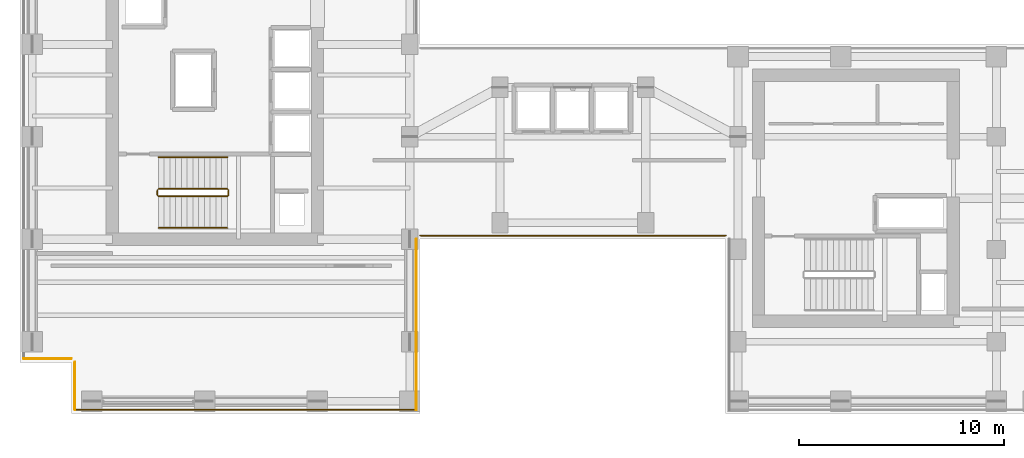
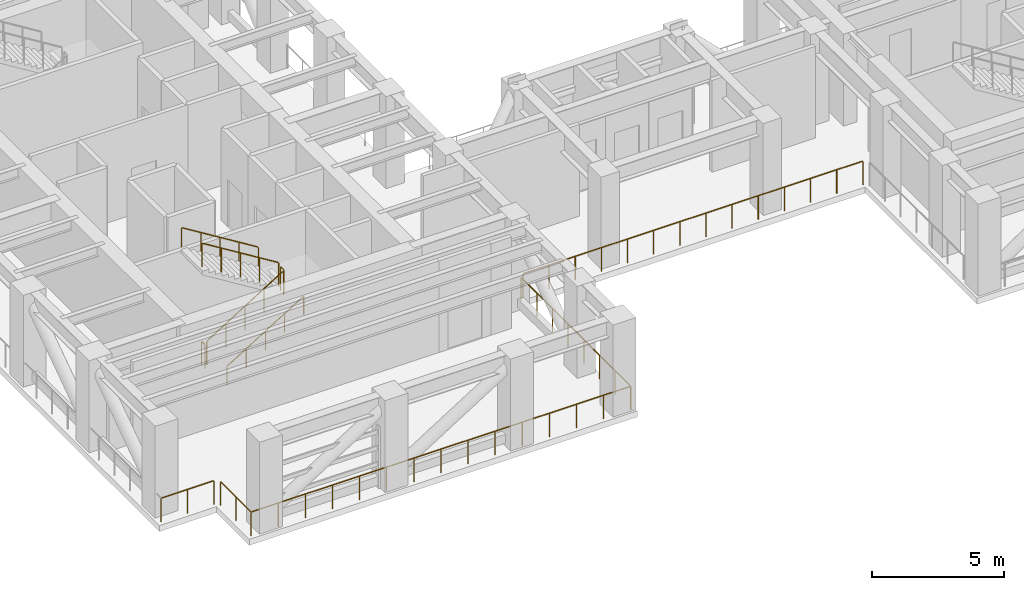
# One storey, part 11 of 14: 11 railings.
"""IFC4 building model written with IfcOpenShell, lengths in metres."""

from ifc_helpers import new_model, si_unit, direction, frame, origin, origin_2d, place, context, subcontext, project, spatial, circle, extrude, source, transform, mapped, material, layer, layer_set, type_object, element, save


model = new_model("IFC4")

# Units and contexts
model_context = context("Model", 3, precision=1e-05, world=origin(), true_north=direction((0.0, 1.0)))
body_context = subcontext(model_context, "Body", "Model", "MODEL_VIEW")
ifc_project = project(units=[si_unit("LENGTHUNIT", "METRE"), si_unit("AREAUNIT", "SQUARE_METRE"), si_unit("VOLUMEUNIT", "CUBIC_METRE"), si_unit("PLANEANGLEUNIT", "RADIAN"), si_unit("MASSUNIT", "GRAM", prefix="KILO")], contexts=[model_context])

# Site, building, storey
site_placement = place(None, origin())
site = spatial("IfcSite", under=ifc_project, at=site_placement, CompositionType="ELEMENT")
building_placement = place(site_placement, origin())
building = spatial("IfcBuilding", under=site, at=building_placement, Name="Kharzan Plaza Tower", CompositionType="ELEMENT")
storey_placement = place(building_placement, frame((0.0, 0.0, 207.89990234375)))
storey = spatial("IfcBuildingStorey", under=building, at=storey_placement, Name="L56", CompositionType="ELEMENT", Elevation=207.89990234375)

# Railings
ifc_material_1 = material(Name="Painted Galvanized Architectural Steel", Category="steel")
ifc_layer_1 = layer(ifc_material_1, 0.074951171875)
ifc_layer_set_1 = layer_set([ifc_layer_1], Name="Painted Galvanized Architectural Steel")
railing_type_1 = type_object("IfcRailingType", Name="RL-GUARD-1120", PredefinedType="BALUSTRADE", material=ifc_layer_set_1)
shared_shape_1 = source(origin(), body_context, "Body", "SweptSolid", [
    extrude(circle(Radius=0.02392578125, at=origin_2d()), frame((0.0224609375, 0.0, 1.10986328125), z_axis=(0.850623216509, 0.0, 0.525775754039), x_axis=(0.0, 1.0, 0.0)), (0.0, 0.0, 1.0), 3.897216796875),
    extrude(circle(Radius=0.02099609375, at=origin_2d()), origin(), (0.0, 0.0, 1.0), 1.072021484375),
    extrude(circle(Radius=0.02099609375, at=origin_2d()), frame((0.840087890625, 0.0, 0.519287109375)), (0.0, 0.0, 1.0), 1.072021484375),
    extrude(circle(Radius=0.02099609375, at=origin_2d()), frame((1.68017578125, 0.0, 1.03857421875)), (0.0, 0.0, 1.0), 1.072021484375),
    extrude(circle(Radius=0.02099609375, at=origin_2d()), frame((2.52001953125, 0.0, 1.5576171875)), (0.0, 0.0, 1.0), 1.072021484375),
    extrude(circle(Radius=0.02099609375, at=origin_2d()), frame((3.360107421875, 0.0, 2.076904296875)), (0.0, 0.0, 1.0), 1.072021484375),
])
railing_1_placement = place(storey_placement, frame((6.75, 10.60009765625, 0.173095703125)))
element("IfcRailing", 1, at=railing_1_placement, inside=storey, type_object=railing_type_1, Name="L56 ST-1 stair guard 1", PredefinedType="BALUSTRADE", context=body_context, shape_type="MappedRepresentation", body=[
    mapped(shared_shape_1, transform((0.0, 0.0, 0.0), x_axis=(1.0, 0.0, 0.0), y_axis=(0.0, 1.0, 0.0), z_axis=(0.0, 0.0, 1.0))),
])
shared_shape_2 = source(origin(), body_context, "Body", "SweptSolid", [
    extrude(circle(Radius=0.02392578125, at=origin_2d()), frame((0.0, 0.0263671875, 1.09619140625), z_axis=(0.0, 1.0, 0.0), x_axis=(-1.0, 0.0, 0.0)), (0.0, 0.0, 1.0), 0.197021484375),
    extrude(circle(Radius=0.02099609375, at=origin_2d()), origin(), (0.0, 0.0, 1.0), 1.072021484375),
    extrude(circle(Radius=0.02099609375, at=origin_2d()), frame((0.0, 0.25, 0.0)), (0.0, 0.0, 1.0), 1.072021484375),
])
for number, where, name in (
    (2, (10.159912109375, 10.64990234375, 2.25), "L56 ST-1 stair guard 2"),
    (3, (6.699951171875, 10.64990234375, 0.0), "L56 ST-1 stair guard 4"),
):
    element("IfcRailing", number, at=place(storey_placement, frame(where)), inside=storey, type_object=railing_type_1, Name=name, PredefinedType="BALUSTRADE", context=body_context, shape_type="MappedRepresentation", body=[
        mapped(shared_shape_2, transform((0.0, 0.0, 0.0), x_axis=(1.0, 0.0, 0.0), y_axis=(0.0, 1.0, 0.0), z_axis=(0.0, 0.0, 1.0))),
    ])
shared_shape_3 = source(origin(), body_context, "Body", "SweptSolid", [
    extrude(circle(Radius=0.02392578125, at=origin_2d()), frame((-0.0224609375, 0.0, 1.10986328125), z_axis=(-0.850623216509, 0.0, 0.525775754039), x_axis=(0.0, -1.0, 0.0)), (0.0, 0.0, 1.0), 3.897216796875),
    extrude(circle(Radius=0.02099609375, at=origin_2d()), origin(), (0.0, 0.0, 1.0), 1.072021484375),
    extrude(circle(Radius=0.02099609375, at=origin_2d()), frame((-0.840087890625, 0.0, 0.519287109375)), (0.0, 0.0, 1.0), 1.072021484375),
    extrude(circle(Radius=0.02099609375, at=origin_2d()), frame((-1.68017578125, 0.0, 1.03857421875)), (0.0, 0.0, 1.0), 1.072021484375),
    extrude(circle(Radius=0.02099609375, at=origin_2d()), frame((-2.52001953125, 0.0, 1.5576171875)), (0.0, 0.0, 1.0), 1.072021484375),
    extrude(circle(Radius=0.02099609375, at=origin_2d()), frame((-3.360107421875, 0.0, 2.076904296875)), (0.0, 0.0, 1.0), 1.072021484375),
])
railing_2_placement = place(storey_placement, frame((10.110107421875, 10.949951171875, 2.423095703125)))
element("IfcRailing", 4, at=railing_2_placement, inside=storey, type_object=railing_type_1, Name="L56 ST-1 stair guard 3", PredefinedType="BALUSTRADE", context=body_context, shape_type="MappedRepresentation", body=[
    mapped(shared_shape_3, transform((0.0, 0.0, 0.0), x_axis=(1.0, 0.0, 0.0), y_axis=(0.0, 1.0, 0.0), z_axis=(0.0, 0.0, 1.0))),
])
ifc_material_2 = material(Name="Brushed Stainless Steel", Category="steel")
ifc_layer_2 = layer(ifc_material_2, 0.050048828125)
ifc_layer_set_2 = layer_set([ifc_layer_2], Name="Brushed Stainless Steel")
railing_type_2 = type_object("IfcRailingType", Name="RL-STAIR-HR920", PredefinedType="HANDRAIL", material=ifc_layer_set_2)
shared_shape_4 = source(origin(), body_context, "Body", "SweptSolid", [
    extrude(circle(Radius=0.02392578125, at=origin_2d()), frame((0.0224609375, 0.0, 0.8896484375), z_axis=(0.850623216509, 0.0, 0.525775754039), x_axis=(0.0, 1.0, 0.0)), (0.0, 0.0, 1.0), 3.897216796875),
    extrude(circle(Radius=0.02099609375, at=origin_2d()), origin(), (0.0, 0.0, 1.0), 0.851806640625),
    extrude(circle(Radius=0.02099609375, at=origin_2d()), frame((0.840087890625, 0.0, 0.519287109375)), (0.0, 0.0, 1.0), 0.851806640625),
    extrude(circle(Radius=0.02099609375, at=origin_2d()), frame((1.68017578125, 0.0, 1.03857421875)), (0.0, 0.0, 1.0), 0.851806640625),
    extrude(circle(Radius=0.02099609375, at=origin_2d()), frame((2.52001953125, 0.0, 1.5576171875)), (0.0, 0.0, 1.0), 0.851806640625),
    extrude(circle(Radius=0.02099609375, at=origin_2d()), frame((3.360107421875, 0.0, 2.076904296875)), (0.0, 0.0, 1.0), 0.851806640625),
])
railing_3_placement = place(storey_placement, frame((6.75, 9.050048828125, 0.173095703125)))
element("IfcRailing", 5, at=railing_3_placement, inside=storey, type_object=railing_type_2, Name="L56 ST-1 stair handrail 1", PredefinedType="HANDRAIL", context=body_context, shape_type="MappedRepresentation", body=[
    mapped(shared_shape_4, transform((0.0, 0.0, 0.0), x_axis=(1.0, 0.0, 0.0), y_axis=(0.0, 1.0, 0.0), z_axis=(0.0, 0.0, 1.0))),
])
shared_shape_5 = source(origin(), body_context, "Body", "SweptSolid", [
    extrude(circle(Radius=0.02392578125, at=origin_2d()), frame((-0.0224609375, 0.0, 0.8896484375), z_axis=(-0.850623216509, 0.0, 0.525775754039), x_axis=(0.0, -1.0, 0.0)), (0.0, 0.0, 1.0), 3.897216796875),
    extrude(circle(Radius=0.02099609375, at=origin_2d()), origin(), (0.0, 0.0, 1.0), 0.851806640625),
    extrude(circle(Radius=0.02099609375, at=origin_2d()), frame((-0.840087890625, 0.0, 0.519287109375)), (0.0, 0.0, 1.0), 0.851806640625),
    extrude(circle(Radius=0.02099609375, at=origin_2d()), frame((-1.68017578125, 0.0, 1.03857421875)), (0.0, 0.0, 1.0), 0.851806640625),
    extrude(circle(Radius=0.02099609375, at=origin_2d()), frame((-2.52001953125, 0.0, 1.5576171875)), (0.0, 0.0, 1.0), 0.851806640625),
    extrude(circle(Radius=0.02099609375, at=origin_2d()), frame((-3.360107421875, 0.0, 2.076904296875)), (0.0, 0.0, 1.0), 0.851806640625),
])
railing_4_placement = place(storey_placement, frame((10.110107421875, 12.5, 2.423095703125)))
element("IfcRailing", 6, at=railing_4_placement, inside=storey, type_object=railing_type_2, Name="L56 ST-1 stair handrail 2", PredefinedType="HANDRAIL", context=body_context, shape_type="MappedRepresentation", body=[
    mapped(shared_shape_5, transform((0.0, 0.0, 0.0), x_axis=(1.0, 0.0, 0.0), y_axis=(0.0, 1.0, 0.0), z_axis=(0.0, 0.0, 1.0))),
])
shared_shape_6 = source(origin(), body_context, "Body", "SweptSolid", [
    extrude(circle(Radius=0.02392578125, at=origin_2d()), frame((0.0, 0.0263671875, 1.09619140625), z_axis=(0.0, 1.0, 0.0), x_axis=(-1.0, 0.0, 0.0)), (0.0, 0.0, 1.0), 2.26708984375),
    extrude(circle(Radius=0.02099609375, at=origin_2d()), origin(), (0.0, 0.0, 1.0), 1.072021484375),
    extrude(circle(Radius=0.02099609375, at=origin_2d()), frame((0.0, 1.16015625, 0.0)), (0.0, 0.0, 1.0), 1.072021484375),
    extrude(circle(Radius=0.02099609375, at=origin_2d()), frame((0.0, 2.320068359375, 0.0)), (0.0, 0.0, 1.0), 1.072021484375),
])
railing_5_placement = place(storey_placement, frame((2.679931640625, 0.179931640625, 0.0)))
element("IfcRailing", 7, at=railing_5_placement, inside=storey, type_object=railing_type_1, Name="L56 Open Refuge Floor Perimeter Guard 76", PredefinedType="BALUSTRADE", context=body_context, shape_type="MappedRepresentation", body=[
    mapped(shared_shape_6, transform((0.0, 0.0, 0.0), x_axis=(1.0, 0.0, 0.0), y_axis=(0.0, 1.0, 0.0), z_axis=(0.0, 0.0, 1.0))),
])
shared_shape_7 = source(origin(), body_context, "Body", "SweptSolid", [
    extrude(circle(Radius=0.02392578125, at=origin_2d()), frame((-0.0263671875, 0.0, 1.09619140625), z_axis=(-1.0, 0.0, 0.0), x_axis=(0.0, -1.0, 0.0)), (0.0, 0.0, 1.0), 2.26708984375),
    extrude(circle(Radius=0.02099609375, at=origin_2d()), origin(), (0.0, 0.0, 1.0), 1.072021484375),
    extrude(circle(Radius=0.02099609375, at=origin_2d()), frame((-1.16015625, 0.0, 0.0)), (0.0, 0.0, 1.0), 1.072021484375),
    extrude(circle(Radius=0.02099609375, at=origin_2d()), frame((-2.320068359375, 0.0, 0.0)), (0.0, 0.0, 1.0), 1.072021484375),
])
railing_6_placement = place(storey_placement, frame((2.5, 2.679931640625, 0.0)))
element("IfcRailing", 8, at=railing_6_placement, inside=storey, type_object=railing_type_1, Name="L56 Open Refuge Floor Perimeter Guard 93", PredefinedType="BALUSTRADE", context=body_context, shape_type="MappedRepresentation", body=[
    mapped(shared_shape_7, transform((0.0, 0.0, 0.0), x_axis=(1.0, 0.0, 0.0), y_axis=(0.0, 1.0, 0.0), z_axis=(0.0, 0.0, 1.0))),
])
shared_shape_8 = source(origin(), body_context, "Body", "SweptSolid", [
    extrude(circle(Radius=0.02392578125, at=origin_2d()), frame((-0.0263671875, 0.0, 1.09619140625), z_axis=(-1.0, 0.0, 0.0), x_axis=(0.0, -1.0, 0.0)), (0.0, 0.0, 1.0), 14.846923828125),
    extrude(circle(Radius=0.02099609375, at=origin_2d()), origin(), (0.0, 0.0, 1.0), 1.072021484375),
    extrude(circle(Radius=0.02099609375, at=origin_2d()), frame((-1.146240234375, 0.0, 0.0)), (0.0, 0.0, 1.0), 1.072021484375),
    extrude(circle(Radius=0.02099609375, at=origin_2d()), frame((-2.292236328125, 0.0, 0.0)), (0.0, 0.0, 1.0), 1.072021484375),
    extrude(circle(Radius=0.02099609375, at=origin_2d()), frame((-3.4384765625, 0.0, 0.0)), (0.0, 0.0, 1.0), 1.072021484375),
    extrude(circle(Radius=0.02099609375, at=origin_2d()), frame((-4.58447265625, 0.0, 0.0)), (0.0, 0.0, 1.0), 1.072021484375),
    extrude(circle(Radius=0.02099609375, at=origin_2d()), frame((-5.730712890625, 0.0, 0.0)), (0.0, 0.0, 1.0), 1.072021484375),
    extrude(circle(Radius=0.02099609375, at=origin_2d()), frame((-6.876953125, 0.0, 0.0)), (0.0, 0.0, 1.0), 1.072021484375),
    extrude(circle(Radius=0.02099609375, at=origin_2d()), frame((-8.02294921875, 0.0, 0.0)), (0.0, 0.0, 1.0), 1.072021484375),
    extrude(circle(Radius=0.02099609375, at=origin_2d()), frame((-9.169189453125, 0.0, 0.0)), (0.0, 0.0, 1.0), 1.072021484375),
    extrude(circle(Radius=0.02099609375, at=origin_2d()), frame((-10.3154296875, 0.0, 0.0)), (0.0, 0.0, 1.0), 1.072021484375),
    extrude(circle(Radius=0.02099609375, at=origin_2d()), frame((-11.46142578125, 0.0, 0.0)), (0.0, 0.0, 1.0), 1.072021484375),
    extrude(circle(Radius=0.02099609375, at=origin_2d()), frame((-12.607666015625, 0.0, 0.0)), (0.0, 0.0, 1.0), 1.072021484375),
    extrude(circle(Radius=0.02099609375, at=origin_2d()), frame((-13.753662109375, 0.0, 0.0)), (0.0, 0.0, 1.0), 1.072021484375),
    extrude(circle(Radius=0.02099609375, at=origin_2d()), frame((-14.89990234375, 0.0, 0.0)), (0.0, 0.0, 1.0), 1.072021484375),
])
railing_7_placement = place(storey_placement, frame((34.39990234375, 8.679931640625, 0.0)))
element("IfcRailing", 9, at=railing_7_placement, inside=storey, type_object=railing_type_1, Name="L56 Open Refuge Floor Perimeter Guard 57", PredefinedType="BALUSTRADE", context=body_context, shape_type="MappedRepresentation", body=[
    mapped(shared_shape_8, transform((0.0, 0.0, 0.0), x_axis=(1.0, 0.0, 0.0), y_axis=(0.0, 1.0, 0.0), z_axis=(0.0, 0.0, 1.0))),
])
shared_shape_9 = source(origin(), body_context, "Body", "SweptSolid", [
    extrude(circle(Radius=0.02392578125, at=origin_2d()), frame((0.0, -0.0263671875, 1.09619140625), z_axis=(0.0, -1.0, 0.0), x_axis=(1.0, 0.0, 0.0)), (0.0, 0.0, 1.0), 8.26708984375),
    extrude(circle(Radius=0.02099609375, at=origin_2d()), origin(), (0.0, 0.0, 1.0), 1.072021484375),
    extrude(circle(Radius=0.02099609375, at=origin_2d()), frame((0.0, -1.1884765625, 0.0)), (0.0, 0.0, 1.0), 1.072021484375),
    extrude(circle(Radius=0.02099609375, at=origin_2d()), frame((0.0, -2.377197265625, 0.0)), (0.0, 0.0, 1.0), 1.072021484375),
    extrude(circle(Radius=0.02099609375, at=origin_2d()), frame((0.0, -3.565673828125, 0.0)), (0.0, 0.0, 1.0), 1.072021484375),
    extrude(circle(Radius=0.02099609375, at=origin_2d()), frame((0.0, -4.75439453125, 0.0)), (0.0, 0.0, 1.0), 1.072021484375),
    extrude(circle(Radius=0.02099609375, at=origin_2d()), frame((0.0, -5.94287109375, 0.0)), (0.0, 0.0, 1.0), 1.072021484375),
    extrude(circle(Radius=0.02099609375, at=origin_2d()), frame((0.0, -7.131591796875, 0.0)), (0.0, 0.0, 1.0), 1.072021484375),
    extrude(circle(Radius=0.02099609375, at=origin_2d()), frame((0.0, -8.320068359375, 0.0)), (0.0, 0.0, 1.0), 1.072021484375),
])
railing_8_placement = place(storey_placement, frame((19.320068359375, 8.5, 0.0)))
element("IfcRailing", 10, at=railing_8_placement, inside=storey, type_object=railing_type_1, Name="L56 Open Refuge Floor Perimeter Guard 74", PredefinedType="BALUSTRADE", context=body_context, shape_type="MappedRepresentation", body=[
    mapped(shared_shape_9, transform((0.0, 0.0, 0.0), x_axis=(1.0, 0.0, 0.0), y_axis=(0.0, 1.0, 0.0), z_axis=(0.0, 0.0, 1.0))),
])
shared_shape_10 = source(origin(), body_context, "Body", "SweptSolid", [
    extrude(circle(Radius=0.02392578125, at=origin_2d()), frame((-0.0263671875, 0.0, 1.09619140625), z_axis=(-1.0, 0.0, 0.0), x_axis=(0.0, -1.0, 0.0)), (0.0, 0.0, 1.0), 16.587158203125),
    extrude(circle(Radius=0.02099609375, at=origin_2d()), origin(), (0.0, 0.0, 1.0), 1.072021484375),
    extrude(circle(Radius=0.02099609375, at=origin_2d()), frame((-1.1884765625, 0.0, 0.0)), (0.0, 0.0, 1.0), 1.072021484375),
    extrude(circle(Radius=0.02099609375, at=origin_2d()), frame((-2.377197265625, 0.0, 0.0)), (0.0, 0.0, 1.0), 1.072021484375),
    extrude(circle(Radius=0.02099609375, at=origin_2d()), frame((-3.565673828125, 0.0, 0.0)), (0.0, 0.0, 1.0), 1.072021484375),
    extrude(circle(Radius=0.02099609375, at=origin_2d()), frame((-4.75439453125, 0.0, 0.0)), (0.0, 0.0, 1.0), 1.072021484375),
    extrude(circle(Radius=0.02099609375, at=origin_2d()), frame((-5.94287109375, 0.0, 0.0)), (0.0, 0.0, 1.0), 1.072021484375),
    extrude(circle(Radius=0.02099609375, at=origin_2d()), frame((-7.131591796875, 0.0, 0.0)), (0.0, 0.0, 1.0), 1.072021484375),
    extrude(circle(Radius=0.02099609375, at=origin_2d()), frame((-8.320068359375, 0.0, 0.0)), (0.0, 0.0, 1.0), 1.072021484375),
    extrude(circle(Radius=0.02099609375, at=origin_2d()), frame((-9.508544921875, 0.0, 0.0)), (0.0, 0.0, 1.0), 1.072021484375),
    extrude(circle(Radius=0.02099609375, at=origin_2d()), frame((-10.697265625, 0.0, 0.0)), (0.0, 0.0, 1.0), 1.072021484375),
    extrude(circle(Radius=0.02099609375, at=origin_2d()), frame((-11.8857421875, 0.0, 0.0)), (0.0, 0.0, 1.0), 1.072021484375),
    extrude(circle(Radius=0.02099609375, at=origin_2d()), frame((-13.074462890625, 0.0, 0.0)), (0.0, 0.0, 1.0), 1.072021484375),
    extrude(circle(Radius=0.02099609375, at=origin_2d()), frame((-14.262939453125, 0.0, 0.0)), (0.0, 0.0, 1.0), 1.072021484375),
    extrude(circle(Radius=0.02099609375, at=origin_2d()), frame((-15.45166015625, 0.0, 0.0)), (0.0, 0.0, 1.0), 1.072021484375),
    extrude(circle(Radius=0.02099609375, at=origin_2d()), frame((-16.64013671875, 0.0, 0.0)), (0.0, 0.0, 1.0), 1.072021484375),
])
railing_9_placement = place(storey_placement, frame((19.320068359375, 0.179931640625, 0.0)))
element("IfcRailing", 11, at=railing_9_placement, inside=storey, type_object=railing_type_1, Name="L56 Open Refuge Floor Perimeter Guard 75", PredefinedType="BALUSTRADE", context=body_context, shape_type="MappedRepresentation", body=[
    mapped(shared_shape_10, transform((0.0, 0.0, 0.0), x_axis=(1.0, 0.0, 0.0), y_axis=(0.0, 1.0, 0.0), z_axis=(0.0, 0.0, 1.0))),
])

save(model, "model.ifc")
